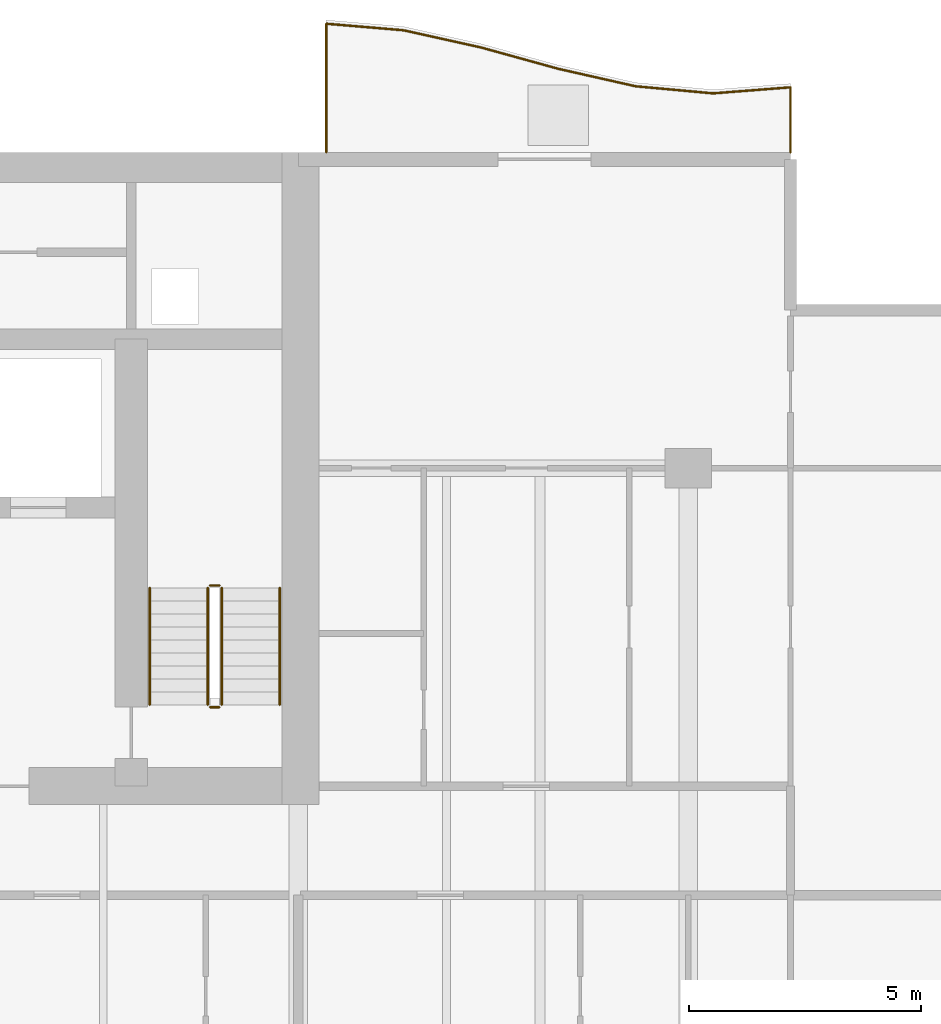
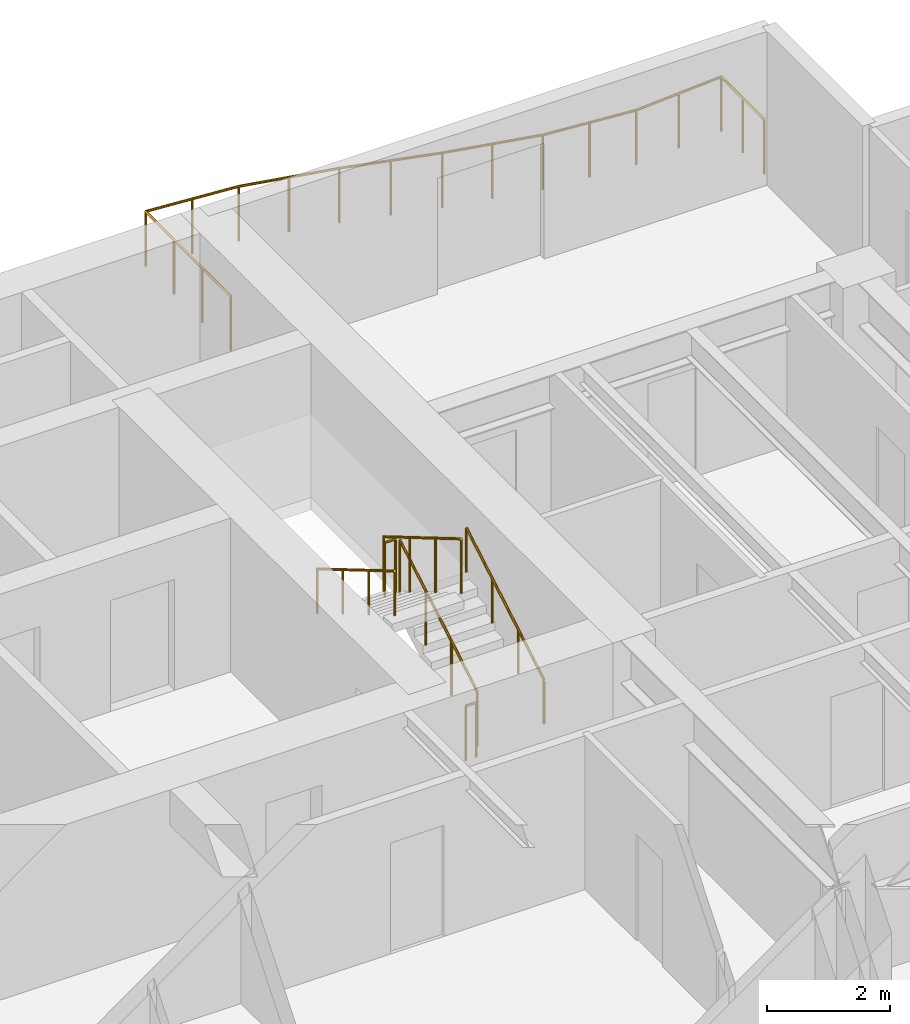
# One storey, part 15 of 16: 7 railings.
"""IFC4 building model written with IfcOpenShell, lengths in metres."""

from ifc_helpers import new_model, si_unit, direction, frame, origin, origin_2d, place, context, subcontext, project, spatial, circle, extrude, material, type_object, element, save


model = new_model("IFC4")

# Units and contexts
model_context = context("Model", 3, precision=1e-05, world=origin(), true_north=direction((0.0, 1.0)))
body_context = subcontext(model_context, "Body", "Model", "MODEL_VIEW")
ifc_project = project(units=[si_unit("LENGTHUNIT", "METRE"), si_unit("AREAUNIT", "SQUARE_METRE"), si_unit("VOLUMEUNIT", "CUBIC_METRE"), si_unit("PLANEANGLEUNIT", "RADIAN"), si_unit("MASSUNIT", "GRAM", prefix="KILO")], contexts=[model_context])

# Site, building, storey
site_placement = place(None, origin())
site = spatial("IfcSite", under=ifc_project, at=site_placement, CompositionType="ELEMENT")
building_placement = place(site_placement, origin())
building = spatial("IfcBuilding", under=site, at=building_placement, Name="Caelmar Bay Residences", CompositionType="ELEMENT")
storey_placement = place(building_placement, frame((0.0, 0.0, 102.60009765625)))
storey = spatial("IfcBuildingStorey", under=building, at=storey_placement, Name="L27", CompositionType="ELEMENT", Elevation=102.60009765625)

# Railings
ifc_material_1 = material(Name="Anodised bronze handrail with laminated hurricane glass infill", Category="glass")
railing_type_1 = type_object("IfcRailingType", Name="RL-BAL-1100", PredefinedType="BALUSTRADE", material=ifc_material_1)
railing_1_placement = place(storey_placement, frame((70.10009765625, 50.60009765625, 0.0)))
element("IfcRailing", 1, at=railing_1_placement, inside=storey, type_object=railing_type_1, Name="L27 north_east Balcony Balustrade", PredefinedType="BALUSTRADE", context=body_context, shape_type="SweptSolid", body=[
    extrude(circle(Radius=0.02392578125, at=origin_2d()), frame((0.0, 0.0, 1.076171875), z_axis=(0.0, 1.0, 0.0), x_axis=(-1.0, 0.0, 0.0)), (0.0, 0.0, 1.0), 1.400146484375),
    extrude(circle(Radius=0.02392578125, at=origin_2d()), frame((0.0, 1.400146484375, 1.076171875), z_axis=(-0.996966215155, -0.077835505006, 0.0), x_axis=(0.077835505006, -0.996966215155, 0.0)), (0.0, 0.0, 1.0), 1.671875),
    extrude(circle(Radius=0.02392578125, at=origin_2d()), frame((-1.666748046875, 1.27001953125, 1.076171875), z_axis=(-0.995862060473, 0.090877700846, 0.0), x_axis=(-0.090877700846, -0.995862060473, 0.0)), (0.0, 0.0, 1.0), 1.673583984375),
    extrude(circle(Radius=0.02392578125, at=origin_2d()), frame((-3.33349609375, 1.422119140625, 1.076171875), z_axis=(-0.975390468551, 0.22048454336, 0.0), x_axis=(-0.22048454336, -0.975390468551, 0.0)), (0.0, 0.0, 1.0), 1.70849609375),
    extrude(circle(Radius=0.02392578125, at=origin_2d()), frame((-5.0, 1.798828125, 1.076171875), z_axis=(-0.963967650546, 0.266019489326, 0.0), x_axis=(-0.266019489326, -0.963967650546, 0.0)), (0.0, 0.0, 1.0), 1.72900390625),
    extrude(circle(Radius=0.02392578125, at=origin_2d()), frame((-6.666748046875, 2.2587890625, 1.076171875), z_axis=(-0.976220694112, 0.216779049696, 0.0), x_axis=(-0.216779049696, -0.976220694112, 0.0)), (0.0, 0.0, 1.0), 1.707275390625),
    extrude(circle(Radius=0.02392578125, at=origin_2d()), frame((-8.33349609375, 2.62890625, 1.076171875), z_axis=(-0.996434131582, 0.084374293591, 0.0), x_axis=(-0.084374293591, -0.996434131582, 0.0)), (0.0, 0.0, 1.0), 1.67236328125),
    extrude(circle(Radius=0.02392578125, at=origin_2d()), frame((-10.0, 2.77001953125, 1.076171875), z_axis=(0.0, -1.0, 0.0), x_axis=(1.0, 0.0, 0.0)), (0.0, 0.0, 1.0), 2.77001953125),
    extrude(circle(Radius=0.02099609375, at=origin_2d()), origin(), (0.0, 0.0, 1.0), 1.052001953125),
    extrude(circle(Radius=0.02099609375, at=origin_2d()), frame((0.0, 0.7001953125, 0.0)), (0.0, 0.0, 1.0), 1.052001953125),
    extrude(circle(Radius=0.02099609375, at=origin_2d()), frame((0.0, 1.400146484375, 0.0)), (0.0, 0.0, 1.0), 1.052001953125),
    extrude(circle(Radius=0.02099609375, at=origin_2d()), frame((-0.83349609375, 1.3349609375, 0.0)), (0.0, 0.0, 1.0), 1.052001953125),
    extrude(circle(Radius=0.02099609375, at=origin_2d()), frame((-1.666748046875, 1.27001953125, 0.0)), (0.0, 0.0, 1.0), 1.052001953125),
    extrude(circle(Radius=0.02099609375, at=origin_2d()), frame((-2.5, 1.34619140625, 0.0)), (0.0, 0.0, 1.0), 1.052001953125),
    extrude(circle(Radius=0.02099609375, at=origin_2d()), frame((-3.33349609375, 1.422119140625, 0.0)), (0.0, 0.0, 1.0), 1.052001953125),
    extrude(circle(Radius=0.02099609375, at=origin_2d()), frame((-4.166748046875, 1.6103515625, 0.0)), (0.0, 0.0, 1.0), 1.052001953125),
    extrude(circle(Radius=0.02099609375, at=origin_2d()), frame((-5.0, 1.798828125, 0.0)), (0.0, 0.0, 1.0), 1.052001953125),
    extrude(circle(Radius=0.02099609375, at=origin_2d()), frame((-5.83349609375, 2.02880859375, 0.0)), (0.0, 0.0, 1.0), 1.052001953125),
    extrude(circle(Radius=0.02099609375, at=origin_2d()), frame((-6.666748046875, 2.2587890625, 0.0)), (0.0, 0.0, 1.0), 1.052001953125),
    extrude(circle(Radius=0.02099609375, at=origin_2d()), frame((-7.5, 2.44384765625, 0.0)), (0.0, 0.0, 1.0), 1.052001953125),
    extrude(circle(Radius=0.02099609375, at=origin_2d()), frame((-8.33349609375, 2.62890625, 0.0)), (0.0, 0.0, 1.0), 1.052001953125),
    extrude(circle(Radius=0.02099609375, at=origin_2d()), frame((-9.166748046875, 2.699462890625, 0.0)), (0.0, 0.0, 1.0), 1.052001953125),
    extrude(circle(Radius=0.02099609375, at=origin_2d()), frame((-10.0, 2.77001953125, 0.0)), (0.0, 0.0, 1.0), 1.052001953125),
    extrude(circle(Radius=0.02099609375, at=origin_2d()), frame((-10.0, 1.8466796875, 0.0)), (0.0, 0.0, 1.0), 1.052001953125),
    extrude(circle(Radius=0.02099609375, at=origin_2d()), frame((-10.0, 0.92333984375, 0.0)), (0.0, 0.0, 1.0), 1.052001953125),
    extrude(circle(Radius=0.02099609375, at=origin_2d()), frame((-10.0, 0.0, 0.0)), (0.0, 0.0, 1.0), 1.052001953125),
])
ifc_material_2 = material(Name="Painted galvanized steel stair guard 1100 mm", Category="steel")
railing_type_2 = type_object("IfcRailingType", Name="RL-GRD-1100", PredefinedType="GUARDRAIL", material=ifc_material_2)
railing_2_placement = place(storey_placement, frame((57.85009765625, 38.699951171875, 0.164794921875)))
element("IfcRailing", 2, at=railing_2_placement, inside=storey, type_object=railing_type_2, Name="L27 ST2 stair guard 1", PredefinedType="GUARDRAIL", context=body_context, shape_type="SweptSolid", body=[
    extrude(circle(Radius=0.02392578125, at=origin_2d()), frame((0.0, 0.0, 1.076171875), z_axis=(0.0, 0.86152411907, 0.507716645641), x_axis=(-1.0, 0.0, 0.0)), (0.0, 0.0, 1.0), 2.925048828125),
    extrude(circle(Radius=0.02099609375, at=origin_2d()), origin(), (0.0, 0.0, 1.0), 1.052001953125),
    extrude(circle(Radius=0.02099609375, at=origin_2d()), frame((0.0, 0.840087890625, 0.4951171875)), (0.0, 0.0, 1.0), 1.052001953125),
    extrude(circle(Radius=0.02099609375, at=origin_2d()), frame((0.0, 1.679931640625, 0.989990234375)), (0.0, 0.0, 1.0), 1.052001953125),
    extrude(circle(Radius=0.02099609375, at=origin_2d()), frame((0.0, 2.52001953125, 1.485107421875)), (0.0, 0.0, 1.0), 1.052001953125),
])
railing_3_placement = place(storey_placement, frame((57.800048828125, 41.27001953125, 1.64990234375)))
element("IfcRailing", 3, at=railing_3_placement, inside=storey, type_object=railing_type_2, Name="L27 ST2 stair guard 2", PredefinedType="GUARDRAIL", context=body_context, shape_type="SweptSolid", body=[
    extrude(circle(Radius=0.02392578125, at=origin_2d()), frame((0.0, 0.0, 1.076171875), z_axis=(-1.0, 0.0, 0.0), x_axis=(0.0, -1.0, 0.0)), (0.0, 0.0, 1.0), 0.199951171875),
    extrude(circle(Radius=0.02099609375, at=origin_2d()), origin(), (0.0, 0.0, 1.0), 1.052001953125),
    extrude(circle(Radius=0.02099609375, at=origin_2d()), frame((-0.199951171875, 0.0, 0.0)), (0.0, 0.0, 1.0), 1.052001953125),
])
railing_4_placement = place(storey_placement, frame((57.550048828125, 41.219970703125, 1.81494140625)))
element("IfcRailing", 4, at=railing_4_placement, inside=storey, type_object=railing_type_2, Name="L27 ST2 stair guard 3", PredefinedType="GUARDRAIL", context=body_context, shape_type="SweptSolid", body=[
    extrude(circle(Radius=0.02392578125, at=origin_2d()), frame((0.0, 0.0, 1.076171875), z_axis=(0.0, -0.861560626758, 0.507654692109), x_axis=(1.0, 0.0, 0.0)), (0.0, 0.0, 1.0), 2.925048828125),
    extrude(circle(Radius=0.02099609375, at=origin_2d()), origin(), (0.0, 0.0, 1.0), 1.052001953125),
    extrude(circle(Radius=0.02099609375, at=origin_2d()), frame((0.0, -0.840087890625, 0.494873046875)), (0.0, 0.0, 1.0), 1.052001953125),
    extrude(circle(Radius=0.02099609375, at=origin_2d()), frame((0.0, -1.679931640625, 0.989990234375)), (0.0, 0.0, 1.0), 1.052001953125),
    extrude(circle(Radius=0.02099609375, at=origin_2d()), frame((0.0, -2.52001953125, 1.48486328125)), (0.0, 0.0, 1.0), 1.052001953125),
])
railing_5_placement = place(storey_placement, frame((57.800048828125, 38.64990234375, 0.0)))
element("IfcRailing", 5, at=railing_5_placement, inside=storey, type_object=railing_type_2, Name="L27 ST2 stair guard 4", PredefinedType="GUARDRAIL", context=body_context, shape_type="SweptSolid", body=[
    extrude(circle(Radius=0.02392578125, at=origin_2d()), frame((0.0, 0.0, 1.076171875), z_axis=(-1.0, 0.0, 0.0), x_axis=(0.0, -1.0, 0.0)), (0.0, 0.0, 1.0), 0.199951171875),
    extrude(circle(Radius=0.02099609375, at=origin_2d()), origin(), (0.0, 0.0, 1.0), 1.052001953125),
    extrude(circle(Radius=0.02099609375, at=origin_2d()), frame((-0.199951171875, 0.0, 0.0)), (0.0, 0.0, 1.0), 1.052001953125),
])
ifc_material_3 = material(Name="Brushed bronze stainless-steel tubular handrail 900 mm", Category="steel")
railing_type_3 = type_object("IfcRailingType", Name="RL-HND-900", PredefinedType="HANDRAIL", material=ifc_material_3)
railing_6_placement = place(storey_placement, frame((59.10009765625, 38.699951171875, 0.164794921875)))
element("IfcRailing", 6, at=railing_6_placement, inside=storey, type_object=railing_type_3, Name="L27 ST2 stair handrail 1", PredefinedType="HANDRAIL", context=body_context, shape_type="SweptSolid", body=[
    extrude(circle(Radius=0.02392578125, at=origin_2d()), frame((0.0, 0.0, 0.8759765625), z_axis=(0.0, 0.86152411907, 0.507716645641), x_axis=(-1.0, 0.0, 0.0)), (0.0, 0.0, 1.0), 2.925048828125),
    extrude(circle(Radius=0.02099609375, at=origin_2d()), origin(), (0.0, 0.0, 1.0), 0.851806640625),
    extrude(circle(Radius=0.02099609375, at=origin_2d()), frame((0.0, 0.840087890625, 0.4951171875)), (0.0, 0.0, 1.0), 0.851806640625),
    extrude(circle(Radius=0.02099609375, at=origin_2d()), frame((0.0, 1.679931640625, 0.989990234375)), (0.0, 0.0, 1.0), 0.851806640625),
    extrude(circle(Radius=0.02099609375, at=origin_2d()), frame((0.0, 2.52001953125, 1.485107421875)), (0.0, 0.0, 1.0), 0.851806640625),
])
railing_7_placement = place(storey_placement, frame((56.300048828125, 41.219970703125, 1.81494140625)))
element("IfcRailing", 7, at=railing_7_placement, inside=storey, type_object=railing_type_3, Name="L27 ST2 stair handrail 2", PredefinedType="HANDRAIL", context=body_context, shape_type="SweptSolid", body=[
    extrude(circle(Radius=0.02392578125, at=origin_2d()), frame((0.0, 0.0, 0.8759765625), z_axis=(0.0, -0.861560626758, 0.507654692109), x_axis=(1.0, 0.0, 0.0)), (0.0, 0.0, 1.0), 2.925048828125),
    extrude(circle(Radius=0.02099609375, at=origin_2d()), origin(), (0.0, 0.0, 1.0), 0.851806640625),
    extrude(circle(Radius=0.02099609375, at=origin_2d()), frame((0.0, -0.840087890625, 0.494873046875)), (0.0, 0.0, 1.0), 0.851806640625),
    extrude(circle(Radius=0.02099609375, at=origin_2d()), frame((0.0, -1.679931640625, 0.989990234375)), (0.0, 0.0, 1.0), 0.851806640625),
    extrude(circle(Radius=0.02099609375, at=origin_2d()), frame((0.0, -2.52001953125, 1.48486328125)), (0.0, 0.0, 1.0), 0.851806640625),
])

save(model, "model.ifc")
